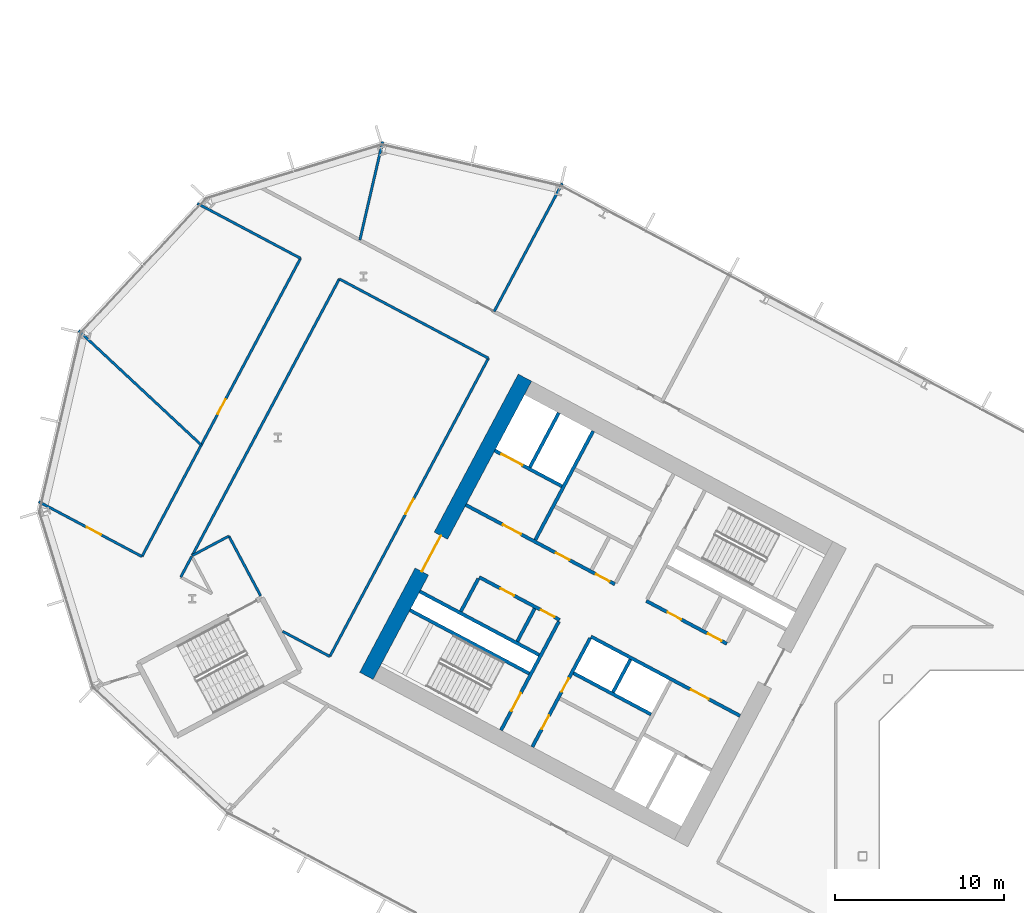
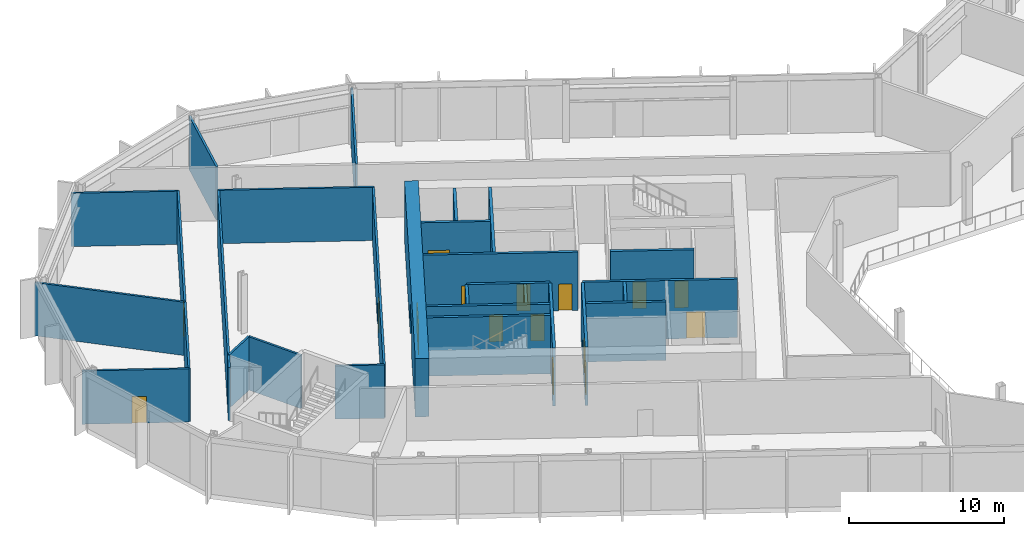
# One storey, part 15 of 31: 29 walls, 16 doors, 16 openings.
"""IFC4 building model written with IfcOpenShell, lengths in metres."""

from ifc_helpers import new_model, si_unit, direction, frame, frame_2d, origin, place, context, subcontext, project, spatial, rectangle, extrude, material, layer, layer_set, type_object, element, fill, save


model = new_model("IFC4")

# Units and contexts
model_context = context("Model", 3, precision=1e-05, world=origin(), true_north=direction((0.0, 1.0)))
body_context = subcontext(model_context, "Body", "Model", "MODEL_VIEW")
ifc_project = project(units=[si_unit("LENGTHUNIT", "METRE"), si_unit("AREAUNIT", "SQUARE_METRE"), si_unit("VOLUMEUNIT", "CUBIC_METRE"), si_unit("PLANEANGLEUNIT", "RADIAN"), si_unit("MASSUNIT", "GRAM", prefix="KILO")], contexts=[model_context])

# Site, building, storey
site_placement = place(None, origin())
site = spatial("IfcSite", under=ifc_project, at=site_placement, CompositionType="ELEMENT")
building_placement = place(site_placement, origin())
building = spatial("IfcBuilding", under=site, at=building_placement, Name="Cormorant Relay Tower", CompositionType="ELEMENT")
storey_placement = place(building_placement, frame((0.0, 0.0, 103.0)))
storey = spatial("IfcBuildingStorey", under=building, at=storey_placement, Name="L20", CompositionType="ELEMENT", Elevation=103.0)

# Walls
ifc_material_1 = material(Name="Concrete 40 MPa", Category="concrete")
ifc_layer_1 = layer(ifc_material_1, 0.199951171875)
ifc_layer_set_1 = layer_set([ifc_layer_1], Name="Core internal wall 200")
wall_type_1 = type_object("IfcWallType", Name="Core internal wall 200", PredefinedType="SOLIDWALL", material=ifc_layer_set_1)
wall_1_placement = place(storey_placement, frame((-25.744140625, 11.64990234375, 0.0), z_axis=(0.0, 0.0, 1.0), x_axis=(-0.469487830541, -0.882938942948, 0.0)))
element("IfcWall", 1, at=wall_1_placement, inside=storey, type_object=wall_type_1, Name="L20 core A shaft and room wall", PredefinedType="SOLIDWALL", context=body_context, shape_type="SweptSolid", body=[
    extrude(rectangle(XDim=2.2001953125, YDim=0.199951171875, at=frame_2d((1.10009765625, 0.0))), origin(), (0.0, 0.0, 1.0), 4.60009765625),
])
wall_2_placement = place(storey_placement, frame((-31.41259765625, 14.663818359375, 0.0), z_axis=(0.0, 0.0, 1.0), x_axis=(-0.469533832133, -0.882914480843, 0.0)))
element("IfcWall", 2, at=wall_2_placement, inside=storey, type_object=wall_type_1, Name="L20 core A shaft and room wall", PredefinedType="SOLIDWALL", context=body_context, shape_type="SweptSolid", body=[
    extrude(rectangle(XDim=2.199951171875, YDim=0.199951171875, at=frame_2d((1.10009765625, 0.0))), origin(), (0.0, 0.0, 1.0), 4.60009765625),
])

# Wall, openings, doors
ifc_material_2 = material(Name="Concrete 50 MPa", Category="concrete")
ifc_layer_2 = layer(ifc_material_2, 0.199951171875)
ifc_layer_set_2 = layer_set([ifc_layer_2], Name="Core shaft wall 200")
wall_type_2 = type_object("IfcWallType", Name="Core shaft wall 200", PredefinedType="SHEAR", material=ifc_layer_set_2)
wall_3_placement = place(storey_placement, frame((-28.128173828125, 12.91748046875, 0.0), z_axis=(0.0, 0.0, 1.0), x_axis=(-0.469454336211, -0.882956752176, 0.0)))
wall_3 = element("IfcWall", 3, at=wall_3_placement, inside=storey, type_object=wall_type_2, Name="L20 core A shaft wall", PredefinedType="SHEAR", context=body_context, shape_type="SweptSolid", body=[
    extrude(rectangle(XDim=7.300048828125, YDim=0.199951171875, at=frame_2d((3.64990234375, 0.0))), origin(), (0.0, 0.0, 1.0), 4.60009765625),
])
opening_1_placement = place(wall_3_placement, frame((2.699951171875, 0.0, 0.0)))
opening_1 = element("IfcOpeningElement", 4, at=opening_1_placement, cuts=wall_3, Name="Opening CDD-138", PredefinedType="OPENING", context=body_context, shape_type="SweptSolid", body=[
    extrude(rectangle(XDim=0.89990234375, YDim=2.10009765625, at=frame_2d((0.449951171875, 1.050048828125))), frame((0.0, 0.10986328125, 0.0), z_axis=(0.0, -1.0, 0.0), x_axis=(1.0, 0.0, 0.0)), (0.0, 0.0, 1.0), 0.219970703125),
])
opening_2_placement = place(wall_3_placement, frame((5.199951171875, 0.0, 0.0)))
opening_2 = element("IfcOpeningElement", 5, at=opening_2_placement, cuts=wall_3, Name="Opening CDD-139", PredefinedType="OPENING", context=body_context, shape_type="SweptSolid", body=[
    extrude(rectangle(XDim=0.89990234375, YDim=2.10009765625, at=frame_2d((0.449951171875, 1.050048828125))), frame((0.0, 0.10986328125, 0.0), z_axis=(0.0, -1.0, 0.0), x_axis=(1.0, 0.0, 0.0)), (0.0, 0.0, 1.0), 0.219970703125),
])
ifc_material_3 = material(Name="Steel fire door", Category="steel")
door_type_1 = type_object("IfcDoorType", Name="Core room door 900x2100", OperationType="SINGLE_SWING_LEFT", PredefinedType="DOOR", material=ifc_material_3)
door_1_placement = place(opening_1_placement, origin())
door_1 = element("IfcDoor", 6, at=door_1_placement, inside=storey, type_object=door_type_1, Name="Core room door 900x2100", OperationType="SINGLE_SWING_LEFT", OverallHeight=2.10009765625, OverallWidth=0.89990234375, PredefinedType="DOOR", context=body_context, shape_type="SweptSolid", body=[
    extrude(rectangle(XDim=0.89990234375, YDim=2.10009765625, at=frame_2d((0.449951171875, 1.050048828125))), frame((0.0, 0.02490234375, 0.0), z_axis=(0.0, -1.0, 0.0), x_axis=(1.0, 0.0, 0.0)), (0.0, 0.0, 1.0), 0.050048828125),
])
fill(opening_1, door_1)
door_2_placement = place(opening_2_placement, origin())
door_2 = element("IfcDoor", 7, at=door_2_placement, inside=storey, type_object=door_type_1, Name="Core room door 900x2100", OperationType="SINGLE_SWING_LEFT", OverallHeight=2.10009765625, OverallWidth=0.89990234375, PredefinedType="DOOR", context=body_context, shape_type="SweptSolid", body=[
    extrude(rectangle(XDim=0.89990234375, YDim=2.10009765625, at=frame_2d((0.449951171875, 1.050048828125))), frame((0.0, 0.02490234375, 0.0), z_axis=(0.0, -1.0, 0.0), x_axis=(1.0, 0.0, 0.0)), (0.0, 0.0, 1.0), 0.050048828125),
])
fill(opening_2, door_2)

# Wall, opening, door
wall_4_placement = place(storey_placement, frame((-29.982421875, 13.9033203125, 0.0), z_axis=(0.0, 0.0, 1.0), x_axis=(-0.469454336211, -0.882956752176, 0.0)))
wall_4 = element("IfcWall", 8, at=wall_4_placement, inside=storey, type_object=wall_type_2, Name="L20 core A shaft wall", PredefinedType="SHEAR", context=body_context, shape_type="SweptSolid", body=[
    extrude(rectangle(XDim=7.300048828125, YDim=0.199951171875, at=frame_2d((3.64990234375, 0.0))), origin(), (0.0, 0.0, 1.0), 4.60009765625),
])
opening_3_placement = place(wall_4_placement, frame((4.800048828125, 0.0, 0.0)))
opening_3 = element("IfcOpeningElement", 9, at=opening_3_placement, cuts=wall_4, Name="Opening CDB-025", PredefinedType="OPENING", context=body_context, shape_type="SweptSolid", body=[
    extrude(rectangle(XDim=1.199951171875, YDim=2.10009765625, at=frame_2d((0.60009765625, 1.050048828125))), frame((0.0, 0.10986328125, 0.0), z_axis=(0.0, -1.0, 0.0), x_axis=(1.0, 0.0, 0.0)), (0.0, 0.0, 1.0), 0.219970703125),
])
ifc_material_4 = material(Name="Steel fire door", Category="steel")
door_type_2 = type_object("IfcDoorType", Name="Core stair door 1200x2100", OperationType="SINGLE_SWING_LEFT", PredefinedType="DOOR", material=ifc_material_4)
door_3_placement = place(opening_3_placement, frame((1.199951171875, 0.0, 0.0), z_axis=(0.0, 0.0, 1.0), x_axis=(-1.0, 0.0, 0.0)))
door_3 = element("IfcDoor", 10, at=door_3_placement, inside=storey, type_object=door_type_2, Name="Core stair door 1200x2100", OperationType="SINGLE_SWING_RIGHT", OverallHeight=2.10009765625, OverallWidth=1.199951171875, PredefinedType="DOOR", context=body_context, shape_type="SweptSolid", body=[
    extrude(rectangle(XDim=1.199951171875, YDim=2.10009765625, at=frame_2d((0.60009765625, 1.050048828125))), frame((0.0, 0.02490234375, 0.0), z_axis=(0.0, -1.0, 0.0), x_axis=(1.0, 0.0, 0.0)), (0.0, 0.0, 1.0), 0.050048828125),
])
fill(opening_3, door_3)

# Walls
wall_5_placement = place(storey_placement, frame((-27.955322265625, 25.170654296875, 0.0), z_axis=(0.0, 0.0, 1.0), x_axis=(-0.469480409012, -0.88294288918, 0.0)))
element("IfcWall", 11, at=wall_5_placement, inside=storey, type_object=wall_type_2, Name="L20 core A shaft wall", PredefinedType="SHEAR", context=body_context, shape_type="SweptSolid", body=[
    extrude(rectangle(XDim=7.300048828125, YDim=0.199951171875, at=frame_2d((3.64990234375, 0.0))), origin(), (0.0, 0.0, 1.0), 4.60009765625),
])
wall_6_placement = place(storey_placement, frame((-34.750244140625, 16.4384765625, 0.0), z_axis=(0.0, 0.0, 1.0), x_axis=(-0.469401318492, -0.882984938828, 0.0)))
element("IfcWall", 12, at=wall_6_placement, inside=storey, type_object=wall_type_2, Name="L20 core A shaft wall", PredefinedType="SHEAR", context=body_context, shape_type="SweptSolid", body=[
    extrude(rectangle(XDim=2.199951171875, YDim=0.199951171875, at=frame_2d((1.10009765625, 0.0))), origin(), (0.0, 0.0, 1.0), 4.60009765625),
])
wall_7_placement = place(storey_placement, frame((-29.986083984375, 26.250244140625, 0.0), z_axis=(0.0, 0.0, 1.0), x_axis=(-0.469494272526, -0.882935517501, 0.0)))
element("IfcWall", 13, at=wall_7_placement, inside=storey, type_object=wall_type_2, Name="L20 core A shaft wall", PredefinedType="SHEAR", context=body_context, shape_type="SweptSolid", body=[
    extrude(rectangle(XDim=3.64990234375, YDim=0.199951171875, at=frame_2d((1.824951171875, 0.0))), origin(), (0.0, 0.0, 1.0), 4.60009765625),
])

# Wall, opening, door
wall_8_placement = place(storey_placement, frame((-29.80419921875, 21.906494140625, 0.0), z_axis=(0.0, 0.0, 1.0), x_axis=(-0.882960433586, 0.469447412093, 0.0)))
wall_8 = element("IfcWall", 14, at=wall_8_placement, inside=storey, type_object=wall_type_2, Name="L20 core A shaft wall", PredefinedType="SHEAR", context=body_context, shape_type="SweptSolid", body=[
    extrude(rectangle(XDim=4.5, YDim=0.199951171875, at=frame_2d((2.25, 0.0))), origin(), (0.0, 0.0, 1.0), 4.60009765625),
])
opening_4_placement = place(wall_8_placement, frame((2.64990234375, 0.0, 0.0)))
opening_4 = element("IfcOpeningElement", 15, at=opening_4_placement, cuts=wall_8, Name="Opening LD3-009", PredefinedType="OPENING", context=body_context, shape_type="SweptSolid", body=[
    extrude(rectangle(XDim=1.39990234375, YDim=2.39990234375, at=frame_2d((0.699951171875, 1.199951171875))), frame((0.0, 0.10986328125, 0.0), z_axis=(0.0, -1.0, 0.0), x_axis=(1.0, 0.0, 0.0)), (0.0, 0.0, 1.0), 0.219970703125),
])
ifc_material_5 = material(Name="Stainless steel 316", Category="steel")
door_type_3 = type_object("IfcDoorType", Name="Lift landing door 1400x2400", OperationType="DOUBLE_DOOR_SLIDING", PredefinedType="DOOR", material=ifc_material_5)
door_4_placement = place(opening_4_placement, origin())
door_4 = element("IfcDoor", 16, at=door_4_placement, inside=storey, type_object=door_type_3, Name="SV1 landing door", OperationType="DOUBLE_DOOR_SLIDING", OverallHeight=2.39990234375, OverallWidth=1.39990234375, PredefinedType="DOOR", context=body_context, shape_type="SweptSolid", body=[
    extrude(rectangle(XDim=1.39990234375, YDim=2.39990234375, at=frame_2d((0.699951171875, 1.199951171875))), frame((0.0, 0.02490234375, 0.0), z_axis=(0.0, -1.0, 0.0), x_axis=(1.0, 0.0, 0.0)), (0.0, 0.0, 1.0), 0.050048828125),
])
fill(opening_4, door_4)

# Wall, openings, doors
wall_9_placement = place(storey_placement, frame((-20.03955078125, 12.58056640625, 0.0), z_axis=(0.0, 0.0, 1.0), x_axis=(-0.882942972946, 0.469480251476, 0.0)))
wall_9 = element("IfcWall", 17, at=wall_9_placement, inside=storey, type_object=wall_type_2, Name="L20 core A shaft wall", PredefinedType="SHEAR", context=body_context, shape_type="SweptSolid", body=[
    extrude(rectangle(XDim=5.39990234375, YDim=0.199951171875, at=frame_2d((2.699951171875, 0.0))), origin(), (0.0, 0.0, 1.0), 4.60009765625),
])
opening_5_placement = place(wall_9_placement, frame((0.360107421875, 0.0, 0.0)))
opening_5 = element("IfcOpeningElement", 18, at=opening_5_placement, cuts=wall_9, Name="Opening CDD-110", PredefinedType="OPENING", context=body_context, shape_type="SweptSolid", body=[
    extrude(rectangle(XDim=0.89990234375, YDim=2.10009765625, at=frame_2d((0.449951171875, 1.050048828125))), frame((0.0, 0.10986328125, 0.0), z_axis=(0.0, -1.0, 0.0), x_axis=(1.0, 0.0, 0.0)), (0.0, 0.0, 1.0), 0.219970703125),
])
opening_6_placement = place(wall_9_placement, frame((3.06005859375, 0.0, 0.0)))
opening_6 = element("IfcOpeningElement", 19, at=opening_6_placement, cuts=wall_9, Name="Opening CDD-111", PredefinedType="OPENING", context=body_context, shape_type="SweptSolid", body=[
    extrude(rectangle(XDim=0.89990234375, YDim=2.10009765625, at=frame_2d((0.449951171875, 1.050048828125))), frame((0.0, 0.10986328125, 0.0), z_axis=(0.0, -1.0, 0.0), x_axis=(1.0, 0.0, 0.0)), (0.0, 0.0, 1.0), 0.219970703125),
])
door_5_placement = place(opening_5_placement, frame((0.89990234375, 0.0, 0.0), z_axis=(0.0, 0.0, 1.0), x_axis=(-1.0, 0.0, 0.0)))
door_5 = element("IfcDoor", 20, at=door_5_placement, inside=storey, type_object=door_type_1, Name="Core room door 900x2100", OperationType="SINGLE_SWING_RIGHT", OverallHeight=2.10009765625, OverallWidth=0.89990234375, PredefinedType="DOOR", context=body_context, shape_type="SweptSolid", body=[
    extrude(rectangle(XDim=0.89990234375, YDim=2.10009765625, at=frame_2d((0.449951171875, 1.050048828125))), frame((0.0, 0.02490234375, 0.0), z_axis=(0.0, -1.0, 0.0), x_axis=(1.0, 0.0, 0.0)), (0.0, 0.0, 1.0), 0.050048828125),
])
fill(opening_5, door_5)
door_6_placement = place(opening_6_placement, frame((0.89990234375, 0.0, 0.0), z_axis=(0.0, 0.0, 1.0), x_axis=(-1.0, 0.0, 0.0)))
door_6 = element("IfcDoor", 21, at=door_6_placement, inside=storey, type_object=door_type_1, Name="Core room door 900x2100", OperationType="SINGLE_SWING_RIGHT", OverallHeight=2.10009765625, OverallWidth=0.89990234375, PredefinedType="DOOR", context=body_context, shape_type="SweptSolid", body=[
    extrude(rectangle(XDim=0.89990234375, YDim=2.10009765625, at=frame_2d((0.449951171875, 1.050048828125))), frame((0.0, 0.02490234375, 0.0), z_axis=(0.0, -1.0, 0.0), x_axis=(1.0, 0.0, 0.0)), (0.0, 0.0, 1.0), 0.050048828125),
])
fill(opening_6, door_6)

wall_10_placement = place(storey_placement, frame((-26.66162109375, 16.1015625, 0.0), z_axis=(0.0, 0.0, 1.0), x_axis=(-0.882940221191, 0.469485426614, 0.0)))
wall_10 = element("IfcWall", 22, at=wall_10_placement, inside=storey, type_object=wall_type_2, Name="L20 core A shaft wall", PredefinedType="SHEAR", context=body_context, shape_type="SweptSolid", body=[
    extrude(rectangle(XDim=10.0, YDim=0.199951171875, at=frame_2d((5.0, 0.0))), origin(), (0.0, 0.0, 1.0), 4.60009765625),
])
opening_7_placement = place(wall_10_placement, frame((6.300048828125, 0.0, 0.0)))
opening_7 = element("IfcOpeningElement", 23, at=opening_7_placement, cuts=wall_10, Name="Opening CDC-018", PredefinedType="OPENING", context=body_context, shape_type="SweptSolid", body=[
    extrude(rectangle(XDim=1.199951171875, YDim=2.10009765625, at=frame_2d((0.60009765625, 1.050048828125))), frame((0.0, 0.10986328125, 0.0), z_axis=(0.0, -1.0, 0.0), x_axis=(1.0, 0.0, 0.0)), (0.0, 0.0, 1.0), 0.219970703125),
])
opening_8_placement = place(wall_10_placement, frame((0.360107421875, 0.0, 0.0)))
opening_8 = element("IfcOpeningElement", 24, at=opening_8_placement, cuts=wall_10, Name="Opening CDD-112", PredefinedType="OPENING", context=body_context, shape_type="SweptSolid", body=[
    extrude(rectangle(XDim=0.89990234375, YDim=2.10009765625, at=frame_2d((0.449951171875, 1.050048828125))), frame((0.0, 0.10986328125, 0.0), z_axis=(0.0, -1.0, 0.0), x_axis=(1.0, 0.0, 0.0)), (0.0, 0.0, 1.0), 0.219970703125),
])
opening_9_placement = place(wall_10_placement, frame((3.06005859375, 0.0, 0.0)))
opening_9 = element("IfcOpeningElement", 25, at=opening_9_placement, cuts=wall_10, Name="Opening CDD-113", PredefinedType="OPENING", context=body_context, shape_type="SweptSolid", body=[
    extrude(rectangle(XDim=0.89990234375, YDim=2.10009765625, at=frame_2d((0.449951171875, 1.050048828125))), frame((0.0, 0.10986328125, 0.0), z_axis=(0.0, -1.0, 0.0), x_axis=(1.0, 0.0, 0.0)), (0.0, 0.0, 1.0), 0.219970703125),
])
ifc_material_6 = material(Name="Steel fire door", Category="steel")
door_type_4 = type_object("IfcDoorType", Name="Core lobby door 1200x2100", OperationType="SINGLE_SWING_LEFT", PredefinedType="DOOR", material=ifc_material_6)
door_7_placement = place(opening_7_placement, origin())
door_7 = element("IfcDoor", 26, at=door_7_placement, inside=storey, type_object=door_type_4, Name="Core lobby door 1200x2100", OperationType="SINGLE_SWING_LEFT", OverallHeight=2.10009765625, OverallWidth=1.199951171875, PredefinedType="DOOR", context=body_context, shape_type="SweptSolid", body=[
    extrude(rectangle(XDim=1.199951171875, YDim=2.10009765625, at=frame_2d((0.60009765625, 1.050048828125))), frame((0.0, 0.02490234375, 0.0), z_axis=(0.0, -1.0, 0.0), x_axis=(1.0, 0.0, 0.0)), (0.0, 0.0, 1.0), 0.050048828125),
])
fill(opening_7, door_7)
door_8_placement = place(opening_8_placement, frame((0.89990234375, 0.0, 0.0), z_axis=(0.0, 0.0, 1.0), x_axis=(-1.0, 0.0, 0.0)))
door_8 = element("IfcDoor", 27, at=door_8_placement, inside=storey, type_object=door_type_1, Name="Core room door 900x2100", OperationType="SINGLE_SWING_RIGHT", OverallHeight=2.10009765625, OverallWidth=0.89990234375, PredefinedType="DOOR", context=body_context, shape_type="SweptSolid", body=[
    extrude(rectangle(XDim=0.89990234375, YDim=2.10009765625, at=frame_2d((0.449951171875, 1.050048828125))), frame((0.0, 0.02490234375, 0.0), z_axis=(0.0, -1.0, 0.0), x_axis=(1.0, 0.0, 0.0)), (0.0, 0.0, 1.0), 0.050048828125),
])
fill(opening_8, door_8)
door_9_placement = place(opening_9_placement, frame((0.89990234375, 0.0, 0.0), z_axis=(0.0, 0.0, 1.0), x_axis=(-1.0, 0.0, 0.0)))
door_9 = element("IfcDoor", 28, at=door_9_placement, inside=storey, type_object=door_type_1, Name="Core room door 900x2100", OperationType="SINGLE_SWING_RIGHT", OverallHeight=2.10009765625, OverallWidth=0.89990234375, PredefinedType="DOOR", context=body_context, shape_type="SweptSolid", body=[
    extrude(rectangle(XDim=0.89990234375, YDim=2.10009765625, at=frame_2d((0.449951171875, 1.050048828125))), frame((0.0, 0.02490234375, 0.0), z_axis=(0.0, -1.0, 0.0), x_axis=(1.0, 0.0, 0.0)), (0.0, 0.0, 1.0), 0.050048828125),
])
fill(opening_9, door_9)

# Wall, opening, door
wall_11_placement = place(storey_placement, frame((-19.251708984375, 8.31103515625, 0.0), z_axis=(0.0, 0.0, 1.0), x_axis=(-0.882955722218, 0.469456273365, 0.0)))
wall_11 = element("IfcWall", 29, at=wall_11_placement, inside=storey, type_object=wall_type_2, Name="L20 core A shaft wall", PredefinedType="SHEAR", context=body_context, shape_type="SweptSolid", body=[
    extrude(rectangle(XDim=10.0, YDim=0.199951171875, at=frame_2d((5.0, 0.0))), origin(), (0.0, 0.0, 1.0), 4.60009765625),
])
opening_10_placement = place(wall_11_placement, frame((2.10009765625, 0.0, 0.0)))
opening_10 = element("IfcOpeningElement", 30, at=opening_10_placement, cuts=wall_11, Name="Opening CDC-017", PredefinedType="OPENING", context=body_context, shape_type="SweptSolid", body=[
    extrude(rectangle(XDim=1.199951171875, YDim=2.10009765625, at=frame_2d((0.60009765625, 1.050048828125))), frame((0.0, 0.10986328125, 0.0), z_axis=(0.0, -1.0, 0.0), x_axis=(1.0, 0.0, 0.0)), (0.0, 0.0, 1.0), 0.219970703125),
])
door_10_placement = place(opening_10_placement, origin())
door_10 = element("IfcDoor", 31, at=door_10_placement, inside=storey, type_object=door_type_4, Name="Core lobby door 1200x2100", OperationType="SINGLE_SWING_RIGHT", OverallHeight=2.10009765625, OverallWidth=1.199951171875, PredefinedType="DOOR", context=body_context, shape_type="SweptSolid", body=[
    extrude(rectangle(XDim=1.199951171875, YDim=2.10009765625, at=frame_2d((0.60009765625, 1.050048828125))), frame((0.0, 0.02490234375, 0.0), z_axis=(0.0, -1.0, 0.0), x_axis=(1.0, 0.0, 0.0)), (0.0, 0.0, 1.0), 0.050048828125),
])
fill(opening_10, door_10)

# Wall, openings, doors
wall_12_placement = place(storey_placement, frame((-29.935302734375, 13.991455078125, 0.0), z_axis=(0.0, 0.0, 1.0), x_axis=(-0.882952937579, 0.469461510692, 0.0)))
wall_12 = element("IfcWall", 32, at=wall_12_placement, inside=storey, type_object=wall_type_2, Name="L20 core A shaft wall", PredefinedType="SHEAR", context=body_context, shape_type="SweptSolid", body=[
    extrude(rectangle(XDim=5.400146484375, YDim=0.199951171875, at=frame_2d((2.7001953125, 0.0))), origin(), (0.0, 0.0, 1.0), 4.60009765625),
])
opening_11_placement = place(wall_12_placement, frame((0.360107421875, 0.0, 0.0)))
opening_11 = element("IfcOpeningElement", 33, at=opening_11_placement, cuts=wall_12, Name="Opening CDD-108", PredefinedType="OPENING", context=body_context, shape_type="SweptSolid", body=[
    extrude(rectangle(XDim=0.89990234375, YDim=2.10009765625, at=frame_2d((0.449951171875, 1.050048828125))), frame((0.0, 0.10986328125, 0.0), z_axis=(0.0, -1.0, 0.0), x_axis=(1.0, 0.0, 0.0)), (0.0, 0.0, 1.0), 0.219970703125),
])
opening_12_placement = place(wall_12_placement, frame((3.06005859375, 0.0, 0.0)))
opening_12 = element("IfcOpeningElement", 34, at=opening_12_placement, cuts=wall_12, Name="Opening CDD-109", PredefinedType="OPENING", context=body_context, shape_type="SweptSolid", body=[
    extrude(rectangle(XDim=0.89990234375, YDim=2.10009765625, at=frame_2d((0.449951171875, 1.050048828125))), frame((0.0, 0.10986328125, 0.0), z_axis=(0.0, -1.0, 0.0), x_axis=(1.0, 0.0, 0.0)), (0.0, 0.0, 1.0), 0.219970703125),
])
door_11_placement = place(opening_11_placement, origin())
door_11 = element("IfcDoor", 35, at=door_11_placement, inside=storey, type_object=door_type_1, Name="Core room door 900x2100", OperationType="SINGLE_SWING_LEFT", OverallHeight=2.10009765625, OverallWidth=0.89990234375, PredefinedType="DOOR", context=body_context, shape_type="SweptSolid", body=[
    extrude(rectangle(XDim=0.89990234375, YDim=2.10009765625, at=frame_2d((0.449951171875, 1.050048828125))), frame((0.0, 0.02490234375, 0.0), z_axis=(0.0, -1.0, 0.0), x_axis=(1.0, 0.0, 0.0)), (0.0, 0.0, 1.0), 0.050048828125),
])
fill(opening_11, door_11)
door_12_placement = place(opening_12_placement, origin())
door_12 = element("IfcDoor", 36, at=door_12_placement, inside=storey, type_object=door_type_1, Name="Core room door 900x2100", OperationType="SINGLE_SWING_LEFT", OverallHeight=2.10009765625, OverallWidth=0.89990234375, PredefinedType="DOOR", context=body_context, shape_type="SweptSolid", body=[
    extrude(rectangle(XDim=0.89990234375, YDim=2.10009765625, at=frame_2d((0.449951171875, 1.050048828125))), frame((0.0, 0.02490234375, 0.0), z_axis=(0.0, -1.0, 0.0), x_axis=(1.0, 0.0, 0.0)), (0.0, 0.0, 1.0), 0.050048828125),
])
fill(opening_12, door_12)

# Walls
wall_13_placement = place(storey_placement, frame((-24.5283203125, 8.3984375, 0.0), z_axis=(0.0, 0.0, 1.0), x_axis=(-0.882953967957, 0.469459572775, 0.0)))
element("IfcWall", 37, at=wall_13_placement, inside=storey, type_object=wall_type_2, Name="L20 core A shaft wall", PredefinedType="SHEAR", context=body_context, shape_type="SweptSolid", body=[
    extrude(rectangle(XDim=5.199951171875, YDim=0.199951171875, at=frame_2d((2.60009765625, 0.0))), origin(), (0.0, 0.0, 1.0), 4.60009765625),
])
for number, where, z_axis, x_axis, name in (
    (38, (-31.150390625, 11.91943359375, 0.0), (0.0, 0.0, 1.0), (-0.882940221191, 0.469485426614, 0.0), "L20 core A shaft wall"),
    (39, (-31.7373046875, 10.815673828125, 0.0), (0.0, 0.0, 1.0), (-0.882940221191, 0.469485426614, 0.0), "L20 core A shaft wall"),
):
    element("IfcWall", number, at=place(storey_placement, frame(where, z_axis=z_axis, x_axis=x_axis)), inside=storey, type_object=wall_type_2, Name=name, PredefinedType="SHEAR", context=body_context, shape_type="SweptSolid", body=[
        extrude(rectangle(XDim=8.0, YDim=0.199951171875, at=frame_2d((4.0, 0.0))), origin(), (0.0, 0.0, 1.0), 4.60009765625),
    ])

# Wall, opening, door
ifc_material_7 = material(Name="Concrete 70 MPa", Category="concrete")
ifc_layer_3 = layer(ifc_material_7, 0.89990234375)
ifc_layer_set_3 = layer_set([ifc_layer_3], Name="Core wall 900")
wall_type_3 = type_object("IfcWallType", Name="Core wall 900", PredefinedType="SHEAR", material=ifc_layer_set_3)
wall_14_placement = place(storey_placement, frame((-31.99169921875, 28.3359375, 0.0), z_axis=(0.0, 0.0, 1.0), x_axis=(-0.46947084998, -0.882947971864, 0.0)))
wall_14 = element("IfcWall", 40, at=wall_14_placement, inside=storey, type_object=wall_type_3, Name="L20 core A wall", PredefinedType="SHEAR", context=body_context, shape_type="SweptSolid", body=[
    extrude(rectangle(XDim=20.0, YDim=0.89990234375, at=frame_2d((10.0, 0.0))), origin(), (0.0, 0.0, 1.0), 4.60009765625),
])
opening_13_placement = place(wall_14_placement, frame((10.60009765625, 0.0, 0.0)))
opening_13 = element("IfcOpeningElement", 41, at=opening_13_placement, cuts=wall_14, Name="Opening CDA-018", PredefinedType="OPENING", context=body_context, shape_type="SweptSolid", body=[
    extrude(rectangle(XDim=2.39990234375, YDim=2.39990234375, at=frame_2d((1.199951171875, 1.199951171875))), frame((0.0, 0.4599609375, 0.0), z_axis=(0.0, -1.0, 0.0), x_axis=(1.0, 0.0, 0.0)), (0.0, 0.0, 1.0), 0.919921875),
])
ifc_material_8 = material(Name="Steel fire door", Category="steel")
door_type_5 = type_object("IfcDoorType", Name="Core lobby door 2400x2400", OperationType="DOUBLE_DOOR_SINGLE_SWING", PredefinedType="DOOR", material=ifc_material_8)
door_13_placement = place(opening_13_placement, origin())
door_13 = element("IfcDoor", 42, at=door_13_placement, inside=storey, type_object=door_type_5, Name="Core lobby door 2400x2400", OperationType="DOUBLE_DOOR_SINGLE_SWING", OverallHeight=2.39990234375, OverallWidth=2.39990234375, PredefinedType="DOOR", context=body_context, shape_type="SweptSolid", body=[
    extrude(rectangle(XDim=2.39990234375, YDim=2.39990234375, at=frame_2d((1.199951171875, 1.199951171875))), frame((0.0, 0.02490234375, 0.0), z_axis=(0.0, -1.0, 0.0), x_axis=(1.0, 0.0, 0.0)), (0.0, 0.0, 1.0), 0.050048828125),
])
fill(opening_13, door_13)

ifc_material_9 = material(Name="Gypsum board partition")
ifc_layer_4 = layer(ifc_material_9, 0.14990234375)
ifc_layer_set_4 = layer_set([ifc_layer_4], Name="Gypsum board partition 150")
wall_type_4 = type_object("IfcWallType", Name="Gypsum board partition 150", PredefinedType="PARTITIONING", material=ifc_layer_set_4)
wall_15_placement = place(storey_placement, frame((-54.669921875, 17.742919921875, 0.0), z_axis=(0.0, 0.0, 1.0), x_axis=(0.469484822724, 0.882940542297, 0.0)))
wall_15 = element("IfcWall", 43, at=wall_15_placement, inside=storey, type_object=wall_type_4, Name="wall/L20/part/1", PredefinedType="PARTITIONING", context=body_context, shape_type="SweptSolid", body=[
    extrude(rectangle(XDim=20.00048828125, YDim=0.14990234375, at=frame_2d((10.000244140625, 0.0))), origin(), (0.0, 0.0, 1.0), 4.199951171875),
])
opening_14_placement = place(wall_15_placement, frame((9.550048828125, 0.0, 0.0)))
opening_14 = element("IfcOpeningElement", 44, at=opening_14_placement, cuts=wall_15, Name="Opening D1-044", PredefinedType="OPENING", context=body_context, shape_type="SweptSolid", body=[
    extrude(rectangle(XDim=1.0, YDim=2.10009765625, at=frame_2d((0.5, 1.050048828125))), frame((0.0, 0.0849609375, 0.0), z_axis=(0.0, -1.0, 0.0), x_axis=(1.0, 0.0, 0.0)), (0.0, 0.0, 1.0), 0.169921875),
])
ifc_material_10 = material(Name="Painted steel door", Category="steel")
door_type_6 = type_object("IfcDoorType", Name="Single door 1000 x 2100", OperationType="SINGLE_SWING_LEFT", PredefinedType="DOOR", material=ifc_material_10)
door_14_placement = place(opening_14_placement, origin())
door_14 = element("IfcDoor", 45, at=door_14_placement, inside=storey, type_object=door_type_6, Name="door/L20/1", OperationType="SINGLE_SWING_RIGHT", OverallHeight=2.10009765625, OverallWidth=1.0, PredefinedType="DOOR", context=body_context, shape_type="SweptSolid", body=[
    extrude(rectangle(XDim=1.0, YDim=2.10009765625, at=frame_2d((0.5, 1.050048828125))), frame((0.0, 0.02490234375, 0.0), z_axis=(0.0, -1.0, 0.0), x_axis=(1.0, 0.0, 0.0)), (0.0, 0.0, 1.0), 0.050048828125),
])
fill(opening_14, door_14)

# Walls
wall_16_placement = place(storey_placement, frame((-45.280029296875, 35.402099609375, 0.0), z_axis=(0.0, 0.0, 1.0), x_axis=(-0.883034938071, 0.469307253456, 0.0)))
element("IfcWall", 46, at=wall_16_placement, inside=storey, type_object=wall_type_4, Name="wall/L20/part/2", PredefinedType="PARTITIONING", context=body_context, shape_type="SweptSolid", body=[
    extrude(rectangle(XDim=6.92724609375, YDim=0.14990234375, at=frame_2d((3.463623046875, 0.0))), origin(), (0.0, 0.0, 1.0), 4.199951171875),
])
wall_17_placement = place(storey_placement, frame((-58.427001953125, 31.125, 0.0), z_axis=(0.0, 0.0, 1.0), x_axis=(0.731469280526, -0.6818743958, 0.0)))
element("IfcWall", 47, at=wall_17_placement, inside=storey, type_object=wall_type_4, Name="wall/L20/part/3", PredefinedType="PARTITIONING", context=body_context, shape_type="SweptSolid", body=[
    extrude(rectangle(XDim=9.93896484375, YDim=0.14990234375, at=frame_2d((4.969482421875, 0.0))), origin(), (0.0, 0.0, 1.0), 4.199951171875),
])

# Wall, opening, door
wall_18_placement = place(storey_placement, frame((-54.669921875, 17.742919921875, 0.0), z_axis=(0.0, 0.0, 1.0), x_axis=(-0.882930834394, 0.469503079517, 0.0)))
wall_18 = element("IfcWall", 48, at=wall_18_placement, inside=storey, type_object=wall_type_4, Name="wall/L20/part/4", PredefinedType="PARTITIONING", context=body_context, shape_type="SweptSolid", body=[
    extrude(rectangle(XDim=6.927001953125, YDim=0.14990234375, at=frame_2d((3.46337890625, 0.0))), origin(), (0.0, 0.0, 1.0), 4.199951171875),
])
opening_15_placement = place(wall_18_placement, frame((2.75, 0.0, 0.0)))
opening_15 = element("IfcOpeningElement", 49, at=opening_15_placement, cuts=wall_18, Name="Opening D2-013", PredefinedType="OPENING", context=body_context, shape_type="SweptSolid", body=[
    extrude(rectangle(XDim=0.949951171875, YDim=2.10009765625, at=frame_2d((0.47509765625, 1.050048828125))), frame((0.0, 0.0849609375, 0.0), z_axis=(0.0, -1.0, 0.0), x_axis=(1.0, 0.0, 0.0)), (0.0, 0.0, 1.0), 0.169921875),
])
ifc_material_11 = material(Name="Timber door", Category="wood")
door_type_7 = type_object("IfcDoorType", Name="Toilet door 950 x 2100", OperationType="SINGLE_SWING_LEFT", PredefinedType="DOOR", material=ifc_material_11)
door_15_placement = place(opening_15_placement, frame((0.949951171875, 0.0, 0.0), z_axis=(0.0, 0.0, 1.0), x_axis=(-1.0, 0.0, 0.0)))
door_15 = element("IfcDoor", 50, at=door_15_placement, inside=storey, type_object=door_type_7, Name="door/L20/2", OperationType="SINGLE_SWING_RIGHT", OverallHeight=2.10009765625, OverallWidth=0.949951171875, PredefinedType="DOOR", context=body_context, shape_type="SweptSolid", body=[
    extrude(rectangle(XDim=0.949951171875, YDim=2.10009765625, at=frame_2d((0.47509765625, 1.050048828125))), frame((0.0, 0.02490234375, 0.0), z_axis=(0.0, -1.0, 0.0), x_axis=(1.0, 0.0, 0.0)), (0.0, 0.0, 1.0), 0.050048828125),
])
fill(opening_15, door_15)

# Walls
wall_19_placement = place(storey_placement, frame((-47.63720703125, 15.40869140625, 0.0), z_axis=(0.0, 0.0, 1.0), x_axis=(-0.469590790968, 0.882884187783, 0.0)))
element("IfcWall", 51, at=wall_19_placement, inside=storey, type_object=wall_type_4, Name="wall/L20/part/8", PredefinedType="PARTITIONING", context=body_context, shape_type="SweptSolid", body=[
    extrude(rectangle(XDim=4.015625, YDim=0.14990234375, at=frame_2d((2.0078125, 0.0))), origin(), (0.0, 0.0, 1.0), 4.199951171875),
])
wall_20_placement = place(storey_placement, frame((-49.52294921875, 18.9541015625, 0.0), z_axis=(0.0, 0.0, 1.0), x_axis=(-0.882767334528, -0.469810422501, 0.0)))
element("IfcWall", 52, at=wall_20_placement, inside=storey, type_object=wall_type_4, Name="wall/L20/part/9", PredefinedType="PARTITIONING", context=body_context, shape_type="SweptSolid", body=[
    extrude(rectangle(XDim=2.460693359375, YDim=0.14990234375, at=frame_2d((1.23046875, 0.0))), origin(), (0.0, 0.0, 1.0), 4.199951171875),
])
wall_21_placement = place(storey_placement, frame((-51.695068359375, 17.798095703125, 0.0), z_axis=(0.0, 0.0, 1.0), x_axis=(0.469483567396, 0.88294120979, 0.0)))
element("IfcWall", 53, at=wall_21_placement, inside=storey, type_object=wall_type_4, Name="wall/L20/part/10", PredefinedType="PARTITIONING", context=body_context, shape_type="SweptSolid", body=[
    extrude(rectangle(XDim=18.554931640625, YDim=0.14990234375, at=frame_2d((9.27734375, 0.0))), origin(), (0.0, 0.0, 1.0), 4.199951171875),
])
wall_22_placement = place(storey_placement, frame((-42.98388671875, 34.180908203125, 0.0), z_axis=(0.0, 0.0, 1.0), x_axis=(0.882929457898, -0.469505668097, 0.0)))
element("IfcWall", 54, at=wall_22_placement, inside=storey, type_object=wall_type_4, Name="wall/L20/part/11", PredefinedType="PARTITIONING", context=body_context, shape_type="SweptSolid", body=[
    extrude(rectangle(XDim=9.99951171875, YDim=0.14990234375, at=frame_2d((4.999755859375, 0.0))), origin(), (0.0, 0.0, 1.0), 4.199951171875),
])

# Wall, opening, door
wall_23_placement = place(storey_placement, frame((-34.155029296875, 29.486083984375, 0.0), z_axis=(0.0, 0.0, 1.0), x_axis=(-0.469446756585, -0.882960782103, 0.0)))
wall_23 = element("IfcWall", 55, at=wall_23_placement, inside=storey, type_object=wall_type_4, Name="wall/L20/part/12", PredefinedType="PARTITIONING", context=body_context, shape_type="SweptSolid", body=[
    extrude(rectangle(XDim=20.0, YDim=0.14990234375, at=frame_2d((10.0, 0.0))), origin(), (0.0, 0.0, 1.0), 4.199951171875),
])
opening_16_placement = place(wall_23_placement, frame((9.449951171875, 0.0, 0.0)))
opening_16 = element("IfcOpeningElement", 56, at=opening_16_placement, cuts=wall_23, Name="Opening D1-047", PredefinedType="OPENING", context=body_context, shape_type="SweptSolid", body=[
    extrude(rectangle(XDim=1.0, YDim=2.10009765625, at=frame_2d((0.5, 1.050048828125))), frame((0.0, 0.0849609375, 0.0), z_axis=(0.0, -1.0, 0.0), x_axis=(1.0, 0.0, 0.0)), (0.0, 0.0, 1.0), 0.169921875),
])
door_16_placement = place(opening_16_placement, frame((1.0, 0.0, 0.0), z_axis=(0.0, 0.0, 1.0), x_axis=(-1.0, 0.0, 0.0)))
door_16 = element("IfcDoor", 57, at=door_16_placement, inside=storey, type_object=door_type_6, Name="door/L20/3", OperationType="SINGLE_SWING_RIGHT", OverallHeight=2.10009765625, OverallWidth=1.0, PredefinedType="DOOR", context=body_context, shape_type="SweptSolid", body=[
    extrude(rectangle(XDim=1.0, YDim=2.10009765625, at=frame_2d((0.5, 1.050048828125))), frame((0.0, 0.02490234375, 0.0), z_axis=(0.0, -1.0, 0.0), x_axis=(1.0, 0.0, 0.0)), (0.0, 0.0, 1.0), 0.050048828125),
])
fill(opening_16, door_16)

# Walls
wall_24_placement = place(storey_placement, frame((-43.5439453125, 11.826904296875, 0.0), z_axis=(0.0, 0.0, 1.0), x_axis=(-0.88289413979, 0.469572079584, 0.0)))
element("IfcWall", 58, at=wall_24_placement, inside=storey, type_object=wall_type_4, Name="wall/L20/part/13", PredefinedType="PARTITIONING", context=body_context, shape_type="SweptSolid", body=[
    extrude(rectangle(XDim=3.16845703125, YDim=0.14990234375, at=frame_2d((1.584228515625, 0.0))), origin(), (0.0, 0.0, 1.0), 4.199951171875),
])
wall_25_placement = place(storey_placement, frame((-29.779052734375, 39.845947265625, 0.0), z_axis=(0.0, 0.0, 1.0), x_axis=(-0.469428442388, -0.882970519031, 0.0)))
element("IfcWall", 59, at=wall_25_placement, inside=storey, type_object=wall_type_4, Name="wall/L20/part/18", PredefinedType="PARTITIONING", context=body_context, shape_type="SweptSolid", body=[
    extrude(rectangle(XDim=8.6015625, YDim=0.14990234375, at=frame_2d((4.30078125, 0.0))), origin(), (0.0, 0.0, 1.0), 4.199951171875),
])
wall_26_placement = place(storey_placement, frame((-41.76708984375, 36.47802734375, 0.0), z_axis=(0.0, 0.0, 1.0), x_axis=(0.225044040813, 0.974348592494, 0.0)))
element("IfcWall", 60, at=wall_26_placement, inside=storey, type_object=wall_type_4, Name="wall/L20/part/19", PredefinedType="PARTITIONING", context=body_context, shape_type="SweptSolid", body=[
    extrude(rectangle(XDim=5.990478515625, YDim=0.14990234375, at=frame_2d((2.9951171875, 0.0))), origin(), (0.0, 0.0, 1.0), 4.199951171875),
])
wall_27_placement = place(storey_placement, frame((-51.717041015625, 17.757080078125, 0.0), z_axis=(0.0, 0.0, 1.0), x_axis=(-0.469618761384, -0.882869310236, 0.0)))
element("IfcWall", 61, at=wall_27_placement, inside=storey, type_object=wall_type_4, Name="wall/L20/part/55", PredefinedType="PARTITIONING", context=body_context, shape_type="SweptSolid", body=[
    extrude(rectangle(XDim=1.39892578125, YDim=0.14990234375, at=frame_2d((0.699462890625, 0.0))), origin(), (0.0, 0.0, 1.0), 4.199951171875),
])

save(model, "model.ifc")
